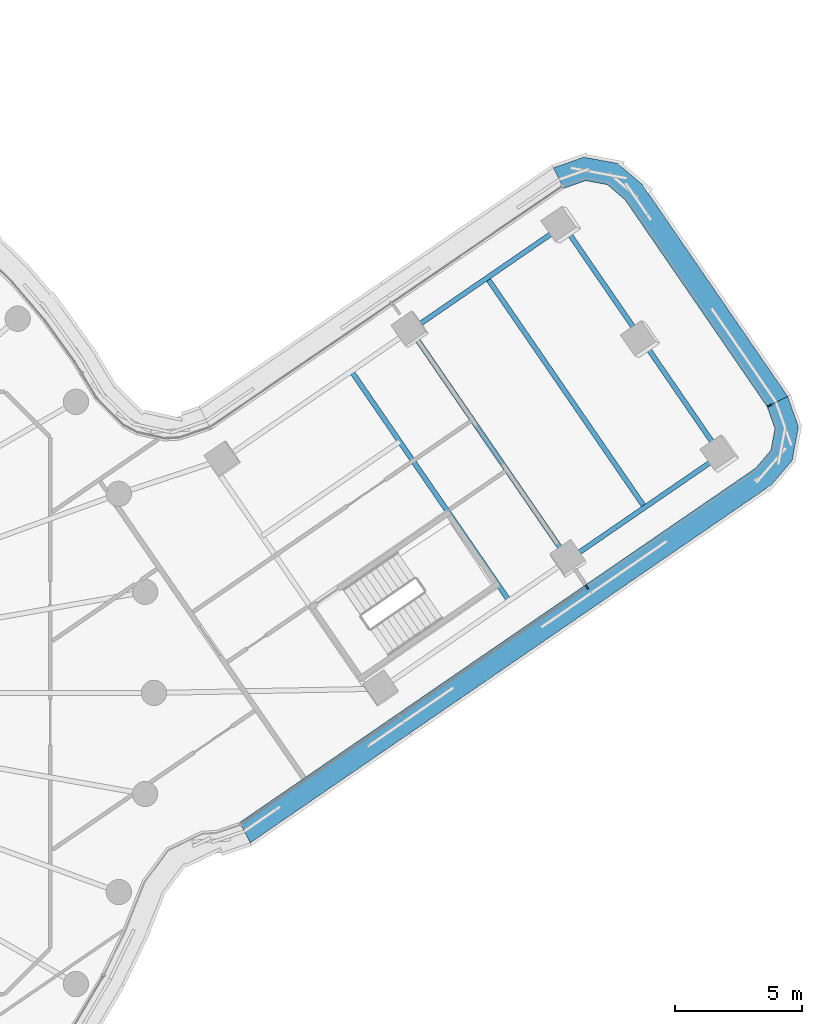
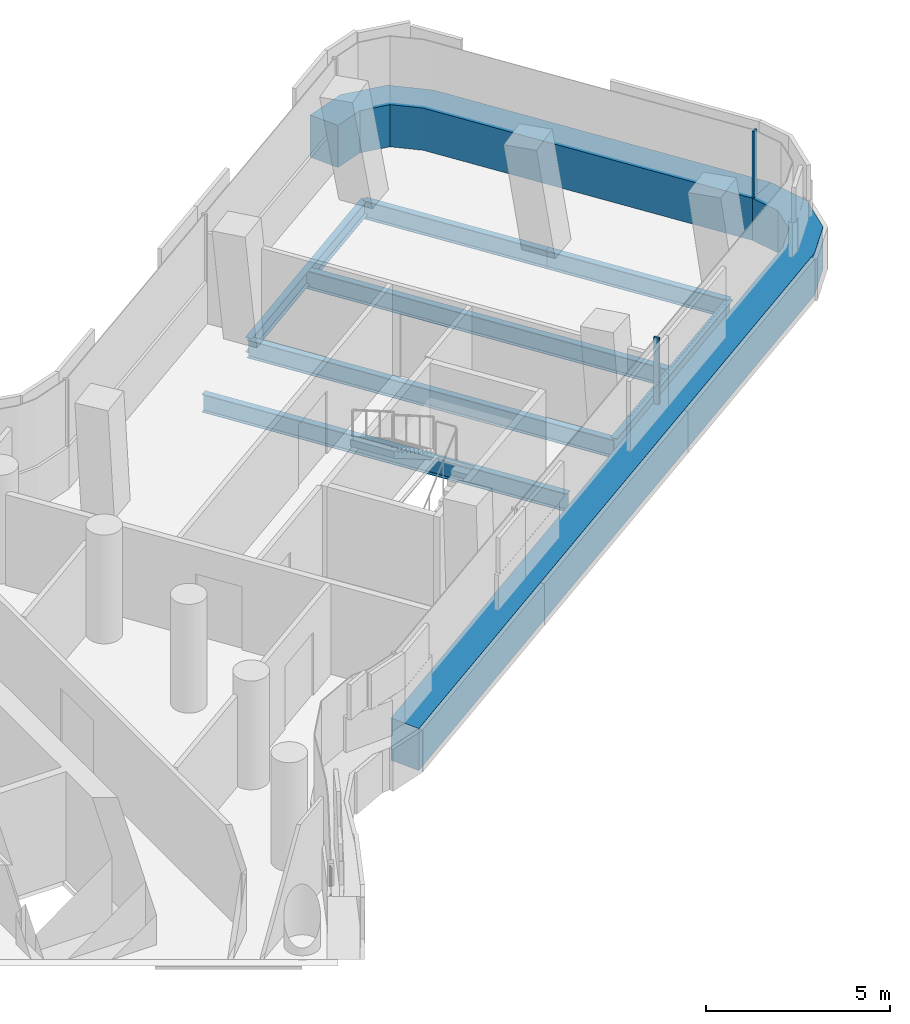
# One storey, part 14 of 33: 7 beams, 4 members, 2 elements without a shape of their own.
"""IFC4 building model written with IfcOpenShell, lengths in metres."""

from ifc_helpers import new_model, si_unit, direction, frame, origin, origin_2d, place, context, subcontext, project, spatial, polyline, rectangle, i_section, outline, extrude, material, layer, layer_set, material_profile, profile_set, type_object, element, aggregate, save


model = new_model("IFC4")

# Units and contexts
model_context = context("Model", 3, precision=1e-05, world=origin(), true_north=direction((0.0, 1.0)))
body_context = subcontext(model_context, "Body", "Model", "MODEL_VIEW")
ifc_project = project(units=[si_unit("LENGTHUNIT", "METRE"), si_unit("AREAUNIT", "SQUARE_METRE"), si_unit("VOLUMEUNIT", "CUBIC_METRE"), si_unit("PLANEANGLEUNIT", "RADIAN"), si_unit("MASSUNIT", "GRAM", prefix="KILO")], contexts=[model_context])

# Site, building, storey
site_placement = place(None, origin())
site = spatial("IfcSite", under=ifc_project, at=site_placement, CompositionType="ELEMENT")
building_placement = place(site_placement, origin())
building = spatial("IfcBuilding", under=site, at=building_placement, Name="Tamarind Cross Interchange Tower", CompositionType="ELEMENT")
storey_placement = place(building_placement, frame((0.0, 0.0, 159.25)))
storey = spatial("IfcBuildingStorey", under=building, at=storey_placement, Name="L39", CompositionType="ELEMENT", Elevation=159.25)

# Beams
ifc_material_1 = material(Name="Steel Q355B", Category="steel")
ifc_material_profile_1 = material_profile(ifc_material_1, i_section(OverallWidth=0.198974609375, OverallDepth=0.49609375, WebThickness=0.009033203125, FlangeThickness=0.013916015625, FilletRadius=0.012939453125, at=origin_2d()), Name="HN 496x199x9x14")
ifc_profile_set_1 = profile_set([ifc_material_profile_1], Name="Steel Q355B")
beam_type_1 = type_object("IfcBeamType", Name="Composite beam HN 496x199x9x14 Q355B", PredefinedType="BEAM", material=ifc_profile_set_1)
for number, where, z_axis, x_axis, name in (
    (1, (45.40576171875, 9.4013671875, -0.387939453125), (-0.824337792069, -0.566098228726, 0.0), (0.566098228726, -0.824337792069, 0.0), "Beam E-edgeem5"),
    (2, (39.1787109375, 18.468994140625, -0.387939453125), (-0.824353363712, -0.566075553028, 0.0), (0.566075553028, -0.824353363712, 0.0), "Beam E-edgeep2"),
):
    element("IfcBeam", number, at=place(storey_placement, frame(where, z_axis=z_axis, x_axis=x_axis)), inside=storey, type_object=beam_type_1, Name=name, PredefinedType="BEAM", context=body_context, shape_type="SweptSolid", body=[
        extrude(i_section(OverallWidth=0.198974609375, OverallDepth=0.49609375, WebThickness=0.009033203125, FlangeThickness=0.013916015625, FilletRadius=0.012939453125, at=origin_2d()), origin(), (0.0, 0.0, 1.0), 7.31640625),
    ])
ifc_material_profile_2 = material_profile(ifc_material_1, i_section(OverallWidth=0.199951171875, OverallDepth=0.60009765625, WebThickness=0.010986328125, FlangeThickness=0.01708984375, FilletRadius=0.012939453125, at=origin_2d()), Name="HN 600x200x11x17")
ifc_profile_set_2 = profile_set([ifc_material_profile_2], Name="Steel Q355B")
beam_type_2 = type_object("IfcBeamType", Name="Composite beam HN 600x200x11x17 Q355B", PredefinedType="BEAM", material=ifc_profile_set_2)
beam_1_placement = place(storey_placement, frame((45.40576171875, 9.4013671875, -0.43994140625), z_axis=(-0.566089800125, 0.824343580186, 0.0), x_axis=(-0.824343580186, -0.566089800125, 0.0)))
element("IfcBeam", 3, at=beam_1_placement, inside=storey, type_object=beam_type_2, Name="Beam E-tip0", PredefinedType="BEAM", context=body_context, shape_type="SweptSolid", body=[
    extrude(i_section(OverallWidth=0.199951171875, OverallDepth=0.60009765625, WebThickness=0.010986328125, FlangeThickness=0.01708984375, FilletRadius=0.012939453125, at=origin_2d()), origin(), (0.0, 0.0, 1.0), 5.5),
])
beam_2_placement = place(storey_placement, frame((42.292236328125, 13.935302734375, -0.43994140625), z_axis=(-0.566110514828, 0.824329354689, 0.0), x_axis=(-0.824329354689, -0.566110514828, 0.0)))
element("IfcBeam", 4, at=beam_2_placement, inside=storey, type_object=beam_type_2, Name="Beam E-tip1", PredefinedType="BEAM", context=body_context, shape_type="SweptSolid", body=[
    extrude(i_section(OverallWidth=0.199951171875, OverallDepth=0.60009765625, WebThickness=0.010986328125, FlangeThickness=0.01708984375, FilletRadius=0.012939453125, at=origin_2d()), origin(), (0.0, 0.0, 1.0), 5.499755859375),
])
for number, where, z_axis, x_axis, name in (
    (5, (37.025146484375, 3.646240234375, -0.43994140625), (-0.566100157331, 0.824336467633, 0.0), (-0.824336467633, -0.566100157331, 0.0), "Beam E-x364"),
    (6, (39.37451171875, 5.259521484375, -0.43994140625), (-0.566089800125, 0.824343580186, 0.0), (-0.824343580186, -0.566089800125, 0.0), "Beam E-x393"),
    (7, (42.39013671875, 7.33056640625, -0.43994140625), (-0.566100157331, 0.824336467633, 0.0), (-0.824336467633, -0.566100157331, 0.0), "Beam E-x430"),
):
    element("IfcBeam", number, at=place(storey_placement, frame(where, z_axis=z_axis, x_axis=x_axis)), inside=storey, type_object=beam_type_2, Name=name, PredefinedType="BEAM", context=body_context, shape_type="SweptSolid", body=[
        extrude(i_section(OverallWidth=0.199951171875, OverallDepth=0.60009765625, WebThickness=0.010986328125, FlangeThickness=0.01708984375, FilletRadius=0.012939453125, at=origin_2d()), origin(), (0.0, 0.0, 1.0), 11.0),
    ])

# Curtain wall, member
ifc_material_2 = material(Name="Aluminium 6063-T6", Category="aluminium")
ifc_layer = layer(ifc_material_2, 0.159912109375)
ifc_layer_set = layer_set([ifc_layer], Name="Aluminium 6063-T6")
curtain_wall_type = type_object("IfcCurtainWallType", Name="Office curtain wall, 9.0 m bays", PredefinedType="NOTDEFINED", material=ifc_layer_set)
curtain_wall_1_placement = place(storey_placement, origin())
curtain_wall_1 = element("IfcCurtainWall", 8, at=curtain_wall_1_placement, inside=storey, type_object=curtain_wall_type, Name="CWS-L39-07", PredefinedType="NOTDEFINED")
ifc_material_3 = material(Name="Aluminium and insulated spandrel panel", Category="aluminium")
member_type_1 = type_object("IfcMemberType", Name="Floor-edge blade transom", PredefinedType="USERDEFINED", material=ifc_material_3)
member_1_placement = place(storey_placement, origin())
member_1 = element("IfcMember", 9, at=member_1_placement, type_object=member_type_1, Name="CWT-L39-07", ObjectType="TRANSOM", PredefinedType="USERDEFINED", context=body_context, shape_type="SweptSolid", body=[
    extrude(outline(polyline([(26.393798828125, -5.1103515625), (46.77587890625, 8.886474609375), (47.37060546875, 9.582275390625), (47.5302734375, 10.442138671875), (47.22509765625, 11.30517578125), (48.0341796875, 11.717041015625), (48.459228515625, 10.514892578125), (48.21142578125, 9.180908203125), (47.383056640625, 8.211669921875), (26.801025390625, -5.922607421875), (26.393798828125, -5.1103515625)])), origin(), (0.0, 0.0, 1.0), 1.39990234375),
])

curtain_wall_2_placement = place(storey_placement, origin())
curtain_wall_2 = element("IfcCurtainWall", 10, at=curtain_wall_2_placement, inside=storey, type_object=curtain_wall_type, Name="CWS-L39-08", PredefinedType="NOTDEFINED")
member_2_placement = place(storey_placement, origin())
member_2 = element("IfcMember", 11, at=member_2_placement, type_object=member_type_1, Name="CWT-L39-08", ObjectType="TRANSOM", PredefinedType="USERDEFINED", context=body_context, shape_type="SweptSolid", body=[
    extrude(outline(polyline([(47.22509765625, 11.30517578125), (41.60888671875, 19.4833984375), (40.9130859375, 20.078125), (40.05322265625, 20.238037109375), (39.18994140625, 19.9326171875), (38.779052734375, 20.741943359375), (39.98046875, 21.166748046875), (41.314453125, 20.919189453125), (42.28369140625, 20.090576171875), (48.0341796875, 11.717041015625), (47.22509765625, 11.30517578125)])), origin(), (0.0, 0.0, 1.0), 1.39990234375),
])

# Member
ifc_material_profile_3 = material_profile(ifc_material_2, rectangle(XDim=0.06005859375, YDim=0.159912109375, at=origin_2d()), Name="Mullion CW1")
ifc_profile_set_3 = profile_set([ifc_material_profile_3], Name="Aluminium 6063-T6")
member_type_2 = type_object("IfcMemberType", Name="Mullion CW1", PredefinedType="MULLION", material=ifc_profile_set_3)
member_3_placement = place(storey_placement, frame((40.103515625, 4.18310546875, 1.39990234375), z_axis=(0.0, 0.0, 1.0), x_axis=(0.824339660174, 0.566095508429, 0.0)))
member_3 = element("IfcMember", 12, at=member_3_placement, type_object=member_type_2, Name="CWM-L39-07-02", PredefinedType="MULLION", context=body_context, shape_type="SweptSolid", body=[
    extrude(rectangle(XDim=0.06005859375, YDim=0.159912109375, at=origin_2d()), origin(), (0.0, 0.0, 1.0), 2.210205078125),
])

aggregate(curtain_wall_1, [member_3, member_1])

member_4_placement = place(storey_placement, frame((47.31494140625, 11.350830078125, 1.39990234375), z_axis=(0.0, 0.0, 1.0), x_axis=(-0.45365456594, 0.891177611255, 0.0)))
member_4 = element("IfcMember", 13, at=member_4_placement, type_object=member_type_2, Name="CWM-L39-08-00", PredefinedType="MULLION", context=body_context, shape_type="SweptSolid", body=[
    extrude(rectangle(XDim=0.06005859375, YDim=0.159912109375, at=origin_2d()), origin(), (0.0, 0.0, 1.0), 2.210205078125),
])

aggregate(curtain_wall_2, [member_4, member_2])

save(model, "model.ifc")
